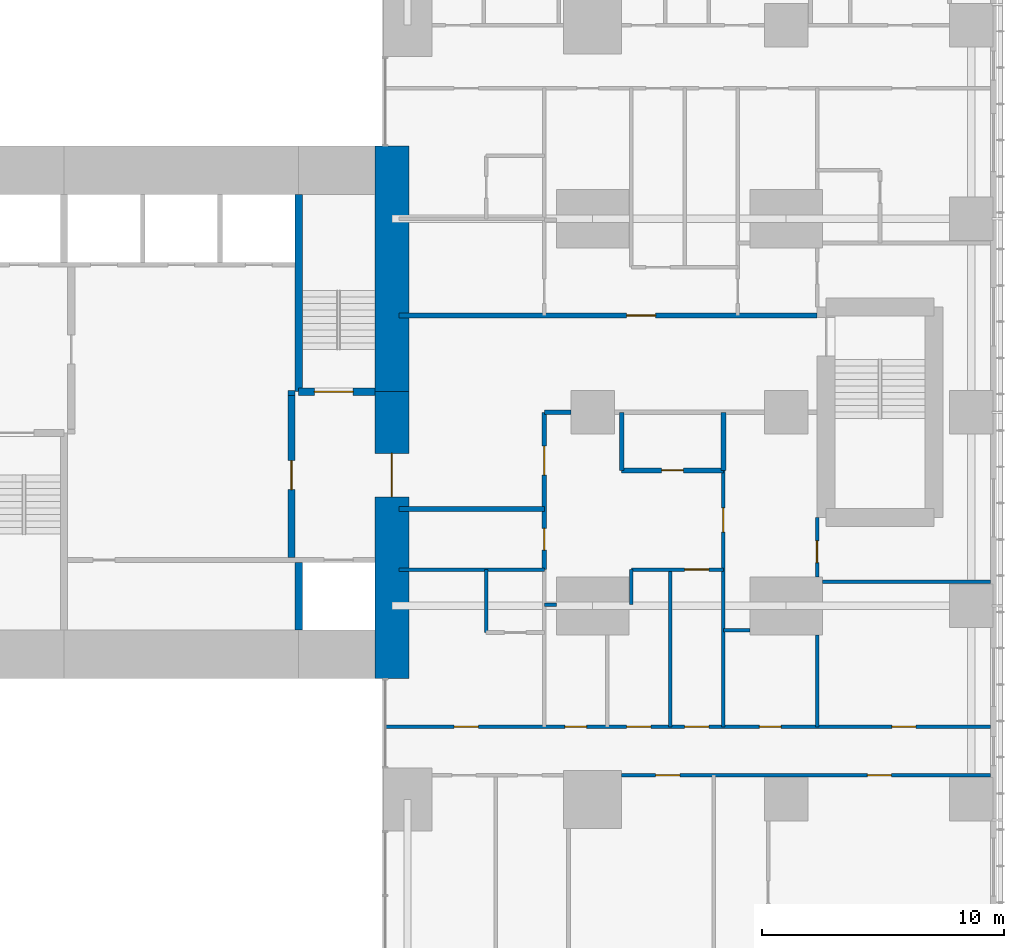
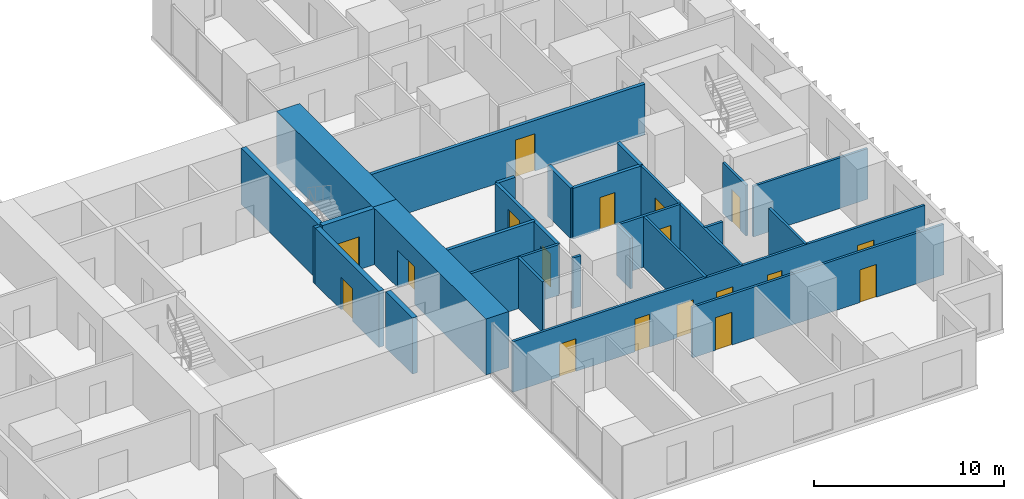
# One storey, part 11 of 15: 27 walls, 18 doors, 18 openings.
"""IFC4 building model written with IfcOpenShell, lengths in metres."""

import ifcopenshell
import ifcopenshell.guid

model = None  # the IFC model being written
_history = None  # IfcOwnerHistory: only IFC2X3 demands one
_inside = {}  # id of a spatial element -> (the spatial element, [elements in it])
_under = {}  # id of a project, library or spatial element -> (it, [spatial elements below it])
_declared = {}  # id of a project -> (the project, [libraries it declares])
_typed = {}  # id of a type object -> (the type object, [elements of that type])
_made_of = {}  # id of a material, layer set ... -> (it, [elements and type objects made of it])


def new_model(schema):
    """Start an empty IFC model of exactly this schema.

    Asked for "IFC4X3", IfcOpenShell would pick the latest addendum, in which some entities
    have other attributes; the version numbers below select the first issue.
    IFC2X3 requires an IfcOwnerHistory on every rooted entity: one is made here for all.
    """
    global model, _history
    if schema == "IFC4X3":
        model = ifcopenshell.file(schema_version=(4, 3, 0, 0))
    else:
        model = ifcopenshell.file(schema=schema)
    _inside.clear()
    _under.clear()
    _declared.clear()
    _typed.clear()
    _made_of.clear()
    _history = None
    if model.schema == "IFC2X3":
        org = make("IfcOrganization", Name="unknown")
        user = make(
            "IfcPersonAndOrganization",
            ThePerson=make("IfcPerson", FamilyName="unknown"),
            TheOrganization=org,
        )
        app = make(
            "IfcApplication",
            ApplicationDeveloper=org,
            Version="unknown",
            ApplicationFullName="unknown",
            ApplicationIdentifier="unknown",
        )
        _history = make(
            "IfcOwnerHistory",
            OwningUser=user,
            OwningApplication=app,
            ChangeAction="ADDED",
            CreationDate=0,
        )
    return model


def make(cls, **values):
    """One entity of the class cls with the attributes given. An attribute that is None is left unset."""
    return model.create_entity(
        cls, **{name: value for name, value in values.items() if value is not None}
    )


def rooted(cls, **values):
    """An entity with a GlobalId (a new one), such as an element, a storey or a relation."""
    return make(cls, GlobalId=ifcopenshell.guid.new(), OwnerHistory=_history, **values)


def si_unit(unit_type, name, prefix=None):
    """IfcSIUnit, for example si_unit("LENGTHUNIT", "METRE", prefix="MILLI")."""
    return make("IfcSIUnit", UnitType=unit_type, Prefix=prefix, Name=name)


def assignment(units):
    """IfcUnitAssignment: the units of a project."""
    return None if units is None else make("IfcUnitAssignment", Units=units)


def point(xyz):
    """IfcCartesianPoint."""
    return None if xyz is None else make("IfcCartesianPoint", Coordinates=xyz)


def direction(xyz):
    """IfcDirection."""
    return None if xyz is None else make("IfcDirection", DirectionRatios=xyz)


def frame(location, z_axis=None, x_axis=None):
    """IfcAxis2Placement3D, a coordinate frame: its origin and axes. An axis left out is left unset."""
    return make(
        "IfcAxis2Placement3D",
        Location=point(location),
        Axis=direction(z_axis),
        RefDirection=direction(x_axis),
    )


def frame_2d(location, x_axis=None):
    """IfcAxis2Placement2D, a coordinate frame in the plane: its origin and x axis."""
    return make(
        "IfcAxis2Placement2D", Location=point(location), RefDirection=direction(x_axis)
    )


def origin():
    """The frame at (0, 0, 0) with its axes left unset."""
    return frame((0.0, 0.0, 0.0))


def place(relative_to, where):
    """IfcLocalPlacement: puts the frame where relative to a parent placement (None: the world)."""
    return make(
        "IfcLocalPlacement", PlacementRelTo=relative_to, RelativePlacement=where
    )


def context(
    kind, dimensions, precision=None, world=None, true_north=None, identifier=None
):
    """IfcGeometricRepresentationContext, for example the 3D "Model" context."""
    return make(
        "IfcGeometricRepresentationContext",
        ContextIdentifier=identifier,
        ContextType=kind,
        CoordinateSpaceDimension=dimensions,
        Precision=precision,
        WorldCoordinateSystem=world,
        TrueNorth=true_north,
    )


def subcontext(parent, identifier, kind, view, scale=None):
    """IfcGeometricRepresentationSubContext, for example "Body" below "Model"."""
    return make(
        "IfcGeometricRepresentationSubContext",
        ContextIdentifier=identifier,
        ContextType=kind,
        ParentContext=parent,
        TargetScale=scale,
        TargetView=view,
    )


def project(units=None, contexts=None):
    """IfcProject with its units and contexts."""
    return rooted(
        "IfcProject",
        Name="project",
        RepresentationContexts=contexts,
        UnitsInContext=assignment(units),
    )


def spatial(cls, under=None, at=None, **own):
    """A site, building, storey or space (cls), placed at a placement, below another one or the project."""
    s = rooted(cls, ObjectPlacement=at, **own)
    if under is not None:
        _under.setdefault(under.id(), (under, []))[1].append(s)
    return s


def profile(cls, at=None, kind="AREA", **sizes):
    """A parametric profile (cls). Its sizes go by their IFC names, for example OverallWidth=200.0."""
    return make(cls, ProfileType=kind, Position=at, **sizes)


def rectangle(**sizes):
    """IfcRectangleProfileDef."""
    return profile("IfcRectangleProfileDef", **sizes)


def extrude(swept, where, along, depth):
    """IfcExtrudedAreaSolid: the profile swept, set in the frame where, extruded along a direction by depth."""
    return make(
        "IfcExtrudedAreaSolid",
        SweptArea=swept,
        Position=where,
        ExtrudedDirection=direction(along),
        Depth=depth,
    )


def shape(context_of_items, identifier, shape_type, items):
    """IfcShapeRepresentation: the items that make up one representation, for example the "Body"."""
    return make(
        "IfcShapeRepresentation",
        ContextOfItems=context_of_items,
        RepresentationIdentifier=identifier,
        RepresentationType=shape_type,
        Items=items,
    )


def material(Name=None, Category=None):
    """IfcMaterial."""
    return make("IfcMaterial", Name=Name, Category=Category)


def layer(
    of_material, thickness, ventilated=None, Name=None, Category=None, Priority=None
):
    """IfcMaterialLayer: one layer of a wall or slab, of a material (None: an air gap)."""
    return make(
        "IfcMaterialLayer",
        Material=of_material,
        LayerThickness=thickness,
        IsVentilated=ventilated,
        Name=Name,
        Category=Category,
        Priority=Priority,
    )


def layer_set(layers, Name=None):
    """IfcMaterialLayerSet."""
    return make("IfcMaterialLayerSet", MaterialLayers=layers, LayerSetName=Name)


def made_of(thing, what):
    """Note that an element or type object is made of a material, layer set ...; save() writes the relation."""
    if what is not None:
        _made_of.setdefault(what.id(), (what, []))[1].append(thing)
    return thing


def type_object(cls, material=None, **own):
    """A type object (cls), such as IfcWallType, which elements share."""
    return made_of(rooted(cls, **own), material)


def element(
    cls,
    number,
    at=None,
    inside=None,
    cuts=None,
    type_object=None,
    material=None,
    context=None,
    identifier="Body",
    shape_type=None,
    held_by="IfcProductDefinitionShape",
    body=None,
    shapes=None,
    **own,
):
    """One element of the class cls, such as IfcWall. Its Tag is "e" and its number.

    at: its placement. inside: the storey or other place that contains it. cuts: it is an
    opening in that element (IfcRelVoidsElement). A single representation is given by context,
    identifier, shape_type and body (its items); several are given by shapes. held_by: the class
    of the entity that holds the representations. save() writes the other relations.
    """
    e = rooted(cls, Tag="e%d" % number, ObjectPlacement=at, **own)
    if body is not None:
        shapes = [shape(context, identifier, shape_type, body)]
    if shapes is not None:
        e.Representation = make(held_by, Representations=shapes)
    if inside is not None:
        _inside.setdefault(inside.id(), (inside, []))[1].append(e)
    if cuts is not None:
        rooted(
            "IfcRelVoidsElement", RelatingBuildingElement=cuts, RelatedOpeningElement=e
        )
    if type_object is not None:
        _typed.setdefault(type_object.id(), (type_object, []))[1].append(e)
    return made_of(e, material)


def fill(opening, filler):
    """IfcRelFillsElement: the door or window that sits in an opening."""
    return rooted(
        "IfcRelFillsElement",
        RelatingOpeningElement=opening,
        RelatedBuildingElement=filler,
    )


def aggregate(whole, parts):
    """IfcRelAggregates: a whole, such as a stair, and the parts it consists of."""
    return rooted("IfcRelAggregates", RelatingObject=whole, RelatedObjects=parts)


def save(model, path):
    """Write the relations noted so far, then the file.

    IfcRelAggregates (storeys below a building ...), IfcRelContainedInSpatialStructure (elements
    in a storey), IfcRelDefinesByType, IfcRelAssociatesMaterial and IfcRelDeclares: one each for
    every whole, place, type object, material and project.
    """
    for whole, parts in _under.values():
        aggregate(whole, parts)
    for where, things in _inside.values():
        rooted(
            "IfcRelContainedInSpatialStructure",
            RelatedElements=things,
            RelatingStructure=where,
        )
    for kind, things in _typed.values():
        rooted("IfcRelDefinesByType", RelatedObjects=things, RelatingType=kind)
    for what, things in _made_of.values():
        rooted("IfcRelAssociatesMaterial", RelatedObjects=things, RelatingMaterial=what)
    for by, libraries in _declared.values():
        rooted("IfcRelDeclares", RelatingContext=by, RelatedDefinitions=libraries)
    model.write(path)


model = new_model("IFC4")

# Units and contexts
model_context = context("Model", 3, precision=1e-05, world=origin(), true_north=direction((0.0, 1.0)))
body_context = subcontext(model_context, "Body", "Model", "MODEL_VIEW")
ifc_project = project(units=[si_unit("LENGTHUNIT", "METRE"), si_unit("AREAUNIT", "SQUARE_METRE"), si_unit("VOLUMEUNIT", "CUBIC_METRE"), si_unit("PLANEANGLEUNIT", "RADIAN"), si_unit("MASSUNIT", "GRAM", prefix="KILO")], contexts=[model_context])

# Site, building, storey
site_placement = place(None, origin())
site = spatial("IfcSite", under=ifc_project, at=site_placement, CompositionType="ELEMENT")
building_placement = place(site_placement, origin())
building = spatial("IfcBuilding", under=site, at=building_placement, Name="Cleftline Residences", CompositionType="ELEMENT")
storey_placement = place(building_placement, frame((0.0, 0.0, 221.800048828125)))
storey = spatial("IfcBuildingStorey", under=building, at=storey_placement, Name="L58", CompositionType="ELEMENT", Elevation=221.800048828125)

# Wall, opening, door
ifc_material_1 = material(Name="Concrete B70", Category="concrete")
ifc_layer_1 = layer(ifc_material_1, 1.39990234375)
ifc_layer_set_1 = layer_set([ifc_layer_1], Name="CORE WALL 1400")
wall_type_1 = type_object("IfcWallType", Name="CORE WALL 1400", PredefinedType="SHEAR", material=ifc_layer_set_1)
wall_1_placement = place(storey_placement, frame((41.699951171875, 13.0, 0.0), z_axis=(0.0, 0.0, 1.0), x_axis=(0.0, 1.0, 0.0)))
wall_1 = element("IfcWall", 1, at=wall_1_placement, inside=storey, type_object=wall_type_1, Name="Core wall E", PredefinedType="SHEAR", context=body_context, shape_type="SweptSolid", body=[
    extrude(rectangle(XDim=11.85009765625, YDim=1.39990234375, at=frame_2d((5.925048828125, 0.0))), origin(), (0.0, 0.0, 1.0), 3.599853515625),
])
opening_1_placement = place(wall_1_placement, frame((7.5, 0.0, 0.0)))
opening_1 = element("IfcOpeningElement", 2, at=opening_1_placement, cuts=wall_1, Name="Opening D7", PredefinedType="OPENING", context=body_context, shape_type="SweptSolid", body=[
    extrude(rectangle(XDim=1.800048828125, YDim=2.39990234375, at=frame_2d((0.89990234375, 1.199951171875))), frame((0.0, 0.7099609375, 0.0), z_axis=(0.0, -1.0, 0.0), x_axis=(1.0, 0.0, 0.0)), (0.0, 0.0, 1.0), 1.419921875),
])
ifc_material_2 = material(Name="Steel", Category="steel")
door_type_1 = type_object("IfcDoorType", Name="WING DOOR 1800X2400", OperationType="DOUBLE_DOOR_DOUBLE_SWING", PredefinedType="DOOR", material=ifc_material_2)
door_1_placement = place(opening_1_placement, origin())
door_1 = element("IfcDoor", 3, at=door_1_placement, inside=storey, type_object=door_type_1, Name="East wing door", OperationType="DOUBLE_DOOR_DOUBLE_SWING", OverallHeight=2.39990234375, OverallWidth=1.800048828125, PredefinedType="DOOR", context=body_context, shape_type="SweptSolid", body=[
    extrude(rectangle(XDim=1.800048828125, YDim=2.39990234375, at=frame_2d((0.89990234375, 1.199951171875))), frame((0.0, 0.02490234375, 0.0), z_axis=(0.0, -1.0, 0.0), x_axis=(1.0, 0.0, 0.0)), (0.0, 0.0, 1.0), 0.050048828125),
])
fill(opening_1, door_1)

# Walls
wall_2_placement = place(storey_placement, frame((41.699951171875, 24.85009765625, 0.0), z_axis=(0.0, 0.0, 1.0), x_axis=(0.0, 1.0, 0.0)))
element("IfcWall", 4, at=wall_2_placement, inside=storey, type_object=wall_type_1, Name="Core wall E1", PredefinedType="SHEAR", context=body_context, shape_type="SweptSolid", body=[
    extrude(rectangle(XDim=10.14990234375, YDim=1.39990234375, at=frame_2d((5.074951171875, 0.0))), origin(), (0.0, 0.0, 1.0), 3.599853515625),
])
ifc_material_3 = material(Name="Concrete B70", Category="concrete")
ifc_layer_2 = layer(ifc_material_3, 0.300048828125)
ifc_layer_set_2 = layer_set([ifc_layer_2], Name="CORE WALL 300")
wall_type_2 = type_object("IfcWallType", Name="CORE WALL 300", PredefinedType="SHEAR", material=ifc_layer_set_2)
wall_3_placement = place(storey_placement, frame((37.85009765625, 24.85009765625, 0.0), z_axis=(0.0, 0.0, 1.0), x_axis=(0.0, 1.0, 0.0)))
element("IfcWall", 5, at=wall_3_placement, inside=storey, type_object=wall_type_2, Name="Core wall SB-W", PredefinedType="SHEAR", context=body_context, shape_type="SweptSolid", body=[
    extrude(rectangle(XDim=8.14990234375, YDim=0.300048828125, at=frame_2d((4.074951171875, 0.0))), origin(), (0.0, 0.0, 1.0), 3.599853515625),
])

# Wall, opening, door
wall_4_placement = place(storey_placement, frame((37.85009765625, 24.85009765625, 0.0), z_axis=(0.0, 0.0, 1.0), x_axis=(1.0, 0.0, 0.0)))
wall_4 = element("IfcWall", 6, at=wall_4_placement, inside=storey, type_object=wall_type_2, Name="Core wall SB-S", PredefinedType="SHEAR", context=body_context, shape_type="SweptSolid", body=[
    extrude(rectangle(XDim=3.14990234375, YDim=0.300048828125, at=frame_2d((1.574951171875, 0.0))), origin(), (0.0, 0.0, 1.0), 3.599853515625),
])
opening_2_placement = place(wall_4_placement, frame((0.64990234375, 0.0, 0.0)))
opening_2 = element("IfcOpeningElement", 7, at=opening_2_placement, cuts=wall_4, Name="Opening D9", PredefinedType="OPENING", context=body_context, shape_type="SweptSolid", body=[
    extrude(rectangle(XDim=1.60009765625, YDim=2.10009765625, at=frame_2d((0.800048828125, 1.050048828125))), frame((0.0, 0.159912109375, 0.0), z_axis=(0.0, -1.0, 0.0), x_axis=(1.0, 0.0, 0.0)), (0.0, 0.0, 1.0), 0.320068359375),
])
ifc_material_4 = material(Name="Steel", Category="steel")
door_type_2 = type_object("IfcDoorType", Name="STAIR DOOR 1600X2100", OperationType="DOUBLE_DOOR_SINGLE_SWING", PredefinedType="DOOR", material=ifc_material_4)
door_2_placement = place(opening_2_placement, origin())
door_2 = element("IfcDoor", 8, at=door_2_placement, inside=storey, type_object=door_type_2, Name="Stair B door", OperationType="DOUBLE_DOOR_SINGLE_SWING", OverallHeight=2.10009765625, OverallWidth=1.60009765625, PredefinedType="DOOR", context=body_context, shape_type="SweptSolid", body=[
    extrude(rectangle(XDim=1.60009765625, YDim=2.10009765625, at=frame_2d((0.800048828125, 1.050048828125))), frame((0.0, 0.02490234375, 0.0), z_axis=(0.0, -1.0, 0.0), x_axis=(1.0, 0.0, 0.0)), (0.0, 0.0, 1.0), 0.050048828125),
])
fill(opening_2, door_2)

# Walls
wall_5_placement = place(storey_placement, frame((37.85009765625, 15.0, 0.0), z_axis=(0.0, 0.0, 1.0), x_axis=(0.0, 1.0, 0.0)))
element("IfcWall", 9, at=wall_5_placement, inside=storey, type_object=wall_type_2, Name="Lift shaft wall", PredefinedType="SHEAR", context=body_context, shape_type="SweptSolid", body=[
    extrude(rectangle(XDim=2.800048828125, YDim=0.300048828125, at=frame_2d((1.39990234375, 0.0))), origin(), (0.0, 0.0, 1.0), 3.599853515625),
])
ifc_material_5 = material(Name="Concrete blockwork, fire rated", Category="masonry")
ifc_layer_3 = layer(ifc_material_5, 0.199951171875)
ifc_layer_set_3 = layer_set([ifc_layer_3], Name="FIRE WALL 200")
wall_type_3 = type_object("IfcWallType", Name="FIRE WALL 200", PredefinedType="PARTITIONING", material=ifc_layer_set_3)
wall_6_placement = place(storey_placement, frame((42.0, 20.0, 0.0), z_axis=(0.0, 0.0, 1.0), x_axis=(1.0, 0.0, 0.0)))
element("IfcWall", 10, at=wall_6_placement, inside=storey, type_object=wall_type_3, Name="Fire separating wall", PredefinedType="PARTITIONING", context=body_context, shape_type="SweptSolid", body=[
    extrude(rectangle(XDim=6.0, YDim=0.199951171875, at=frame_2d((3.0, 0.0))), origin(), (0.0, 0.0, 1.0), 3.25),
])

# Wall, opening, door
wall_7_placement = place(storey_placement, frame((51.199951171875, 21.60009765625, 0.0), z_axis=(0.0, 0.0, 1.0), x_axis=(1.0, 0.0, 0.0)))
wall_7 = element("IfcWall", 11, at=wall_7_placement, inside=storey, type_object=wall_type_3, Name="Fire separating wall", PredefinedType="PARTITIONING", context=body_context, shape_type="SweptSolid", body=[
    extrude(rectangle(XDim=4.199951171875, YDim=0.199951171875, at=frame_2d((2.10009765625, 0.0))), origin(), (0.0, 0.0, 1.0), 3.25),
])
opening_3_placement = place(wall_7_placement, frame((1.64990234375, 0.0, 0.0)))
opening_3 = element("IfcOpeningElement", 12, at=opening_3_placement, cuts=wall_7, Name="Opening D1F30", PredefinedType="OPENING", context=body_context, shape_type="SweptSolid", body=[
    extrude(rectangle(XDim=0.89990234375, YDim=2.10009765625, at=frame_2d((0.449951171875, 1.050048828125))), frame((0.0, 0.10986328125, 0.0), z_axis=(0.0, -1.0, 0.0), x_axis=(1.0, 0.0, 0.0)), (0.0, 0.0, 1.0), 0.219970703125),
])
ifc_material_6 = material(Name="Timber veneer on solid core", Category="wood")
door_type_3 = type_object("IfcDoorType", Name="DOOR 900X2100 EI 30", OperationType="SINGLE_SWING_LEFT", PredefinedType="DOOR", material=ifc_material_6)
door_3_placement = place(opening_3_placement, origin())
door_3 = element("IfcDoor", 13, at=door_3_placement, inside=storey, type_object=door_type_3, Name="Door to cloakroom wc", OperationType="SINGLE_SWING_LEFT", OverallHeight=2.10009765625, OverallWidth=0.89990234375, PredefinedType="DOOR", context=body_context, shape_type="SweptSolid", body=[
    extrude(rectangle(XDim=0.89990234375, YDim=2.10009765625, at=frame_2d((0.449951171875, 1.050048828125))), frame((0.0, 0.02490234375, 0.0), z_axis=(0.0, -1.0, 0.0), x_axis=(1.0, 0.0, 0.0)), (0.0, 0.0, 1.0), 0.050048828125),
])
fill(opening_3, door_3)

# Wall
wall_8_placement = place(storey_placement, frame((48.0, 24.0, 0.0), z_axis=(0.0, 0.0, 1.0), x_axis=(1.0, 0.0, 0.0)))
element("IfcWall", 14, at=wall_8_placement, inside=storey, type_object=wall_type_3, Name="Fire separating wall", PredefinedType="PARTITIONING", context=body_context, shape_type="SweptSolid", body=[
    extrude(rectangle(XDim=1.10009765625, YDim=0.199951171875, at=frame_2d((0.550048828125, 0.0))), origin(), (0.0, 0.0, 1.0), 3.25),
])

# Wall, opening, door
wall_9_placement = place(storey_placement, frame((42.0, 28.0, 0.0), z_axis=(0.0, 0.0, 1.0), x_axis=(1.0, 0.0, 0.0)))
wall_9 = element("IfcWall", 15, at=wall_9_placement, inside=storey, type_object=wall_type_3, Name="Fire separating wall", PredefinedType="PARTITIONING", context=body_context, shape_type="SweptSolid", body=[
    extrude(rectangle(XDim=17.27490234375, YDim=0.199951171875, at=frame_2d((8.637451171875, 0.0))), origin(), (0.0, 0.0, 1.0), 3.25),
])
opening_4_placement = place(wall_9_placement, frame((9.39990234375, 0.0, 0.0)))
opening_4 = element("IfcOpeningElement", 16, at=opening_4_placement, cuts=wall_9, Name="Opening D4", PredefinedType="OPENING", context=body_context, shape_type="SweptSolid", body=[
    extrude(rectangle(XDim=1.199951171875, YDim=2.39990234375, at=frame_2d((0.60009765625, 1.199951171875))), frame((0.0, 0.10986328125, 0.0), z_axis=(0.0, -1.0, 0.0), x_axis=(1.0, 0.0, 0.0)), (0.0, 0.0, 1.0), 0.219970703125),
])
ifc_material_7 = material(Name="Timber veneer on solid core", Category="wood")
door_type_4 = type_object("IfcDoorType", Name="APARTMENT ENTRANCE DOOR 1200X2400", OperationType="SINGLE_SWING_RIGHT", PredefinedType="DOOR", material=ifc_material_7)
door_4_placement = place(opening_4_placement, origin())
door_4 = element("IfcDoor", 17, at=door_4_placement, inside=storey, type_object=door_type_4, Name="Door to residence entrance (gallery)", OperationType="SINGLE_SWING_LEFT", OverallHeight=2.39990234375, OverallWidth=1.199951171875, PredefinedType="DOOR", context=body_context, shape_type="SweptSolid", body=[
    extrude(rectangle(XDim=1.199951171875, YDim=2.39990234375, at=frame_2d((0.60009765625, 1.199951171875))), frame((0.0, 0.02490234375, 0.0), z_axis=(0.0, -1.0, 0.0), x_axis=(1.0, 0.0, 0.0)), (0.0, 0.0, 1.0), 0.050048828125),
])
fill(opening_4, door_4)

# Wall, openings, doors
wall_10_placement = place(storey_placement, frame((48.0, 17.5, 0.0), z_axis=(0.0, 0.0, 1.0), x_axis=(0.0, 1.0, 0.0)))
wall_10 = element("IfcWall", 18, at=wall_10_placement, inside=storey, type_object=wall_type_3, Name="Fire separating wall", PredefinedType="PARTITIONING", context=body_context, shape_type="SweptSolid", body=[
    extrude(rectangle(XDim=6.5, YDim=0.199951171875, at=frame_2d((3.25, 0.0))), origin(), (0.0, 0.0, 1.0), 3.25),
])
opening_5_placement = place(wall_10_placement, frame((3.89990234375, 0.0, 0.0)))
opening_5 = element("IfcOpeningElement", 19, at=opening_5_placement, cuts=wall_10, Name="Opening D4", PredefinedType="OPENING", context=body_context, shape_type="SweptSolid", body=[
    extrude(rectangle(XDim=1.199951171875, YDim=2.39990234375, at=frame_2d((0.60009765625, 1.199951171875))), frame((0.0, 0.10986328125, 0.0), z_axis=(0.0, -1.0, 0.0), x_axis=(1.0, 0.0, 0.0)), (0.0, 0.0, 1.0), 0.219970703125),
])
opening_6_placement = place(wall_10_placement, frame((0.800048828125, 0.0, 0.0)))
opening_6 = element("IfcOpeningElement", 20, at=opening_6_placement, cuts=wall_10, Name="Opening D1F30", PredefinedType="OPENING", context=body_context, shape_type="SweptSolid", body=[
    extrude(rectangle(XDim=0.89990234375, YDim=2.10009765625, at=frame_2d((0.449951171875, 1.050048828125))), frame((0.0, 0.10986328125, 0.0), z_axis=(0.0, -1.0, 0.0), x_axis=(1.0, 0.0, 0.0)), (0.0, 0.0, 1.0), 0.219970703125),
])
door_5_placement = place(opening_5_placement, origin())
door_5 = element("IfcDoor", 21, at=door_5_placement, inside=storey, type_object=door_type_4, Name="Door to residence entrance foyer", OperationType="SINGLE_SWING_LEFT", OverallHeight=2.39990234375, OverallWidth=1.199951171875, PredefinedType="DOOR", context=body_context, shape_type="SweptSolid", body=[
    extrude(rectangle(XDim=1.199951171875, YDim=2.39990234375, at=frame_2d((0.60009765625, 1.199951171875))), frame((0.0, 0.02490234375, 0.0), z_axis=(0.0, -1.0, 0.0), x_axis=(1.0, 0.0, 0.0)), (0.0, 0.0, 1.0), 0.050048828125),
])
fill(opening_5, door_5)
door_6_placement = place(opening_6_placement, origin())
door_6 = element("IfcDoor", 22, at=door_6_placement, inside=storey, type_object=door_type_3, Name="Door to utility room", OperationType="SINGLE_SWING_RIGHT", OverallHeight=2.10009765625, OverallWidth=0.89990234375, PredefinedType="DOOR", context=body_context, shape_type="SweptSolid", body=[
    extrude(rectangle(XDim=0.89990234375, YDim=2.10009765625, at=frame_2d((0.449951171875, 1.050048828125))), frame((0.0, 0.02490234375, 0.0), z_axis=(0.0, -1.0, 0.0), x_axis=(1.0, 0.0, 0.0)), (0.0, 0.0, 1.0), 0.050048828125),
])
fill(opening_6, door_6)

# Walls
for number, where, z_axis, x_axis, name in (
    (23, (51.199951171875, 21.60009765625, 0.0), (0.0, 0.0, 1.0), (0.0, 1.0, 0.0), "Fire separating wall"),
    (24, (55.39990234375, 21.60009765625, 0.0), (0.0, 0.0, 1.0), (0.0, 1.0, 0.0), "Fire separating wall"),
):
    element("IfcWall", number, at=place(storey_placement, frame(where, z_axis=z_axis, x_axis=x_axis)), inside=storey, type_object=wall_type_3, Name=name, PredefinedType="PARTITIONING", context=body_context, shape_type="SweptSolid", body=[
        extrude(rectangle(XDim=2.39990234375, YDim=0.199951171875, at=frame_2d((1.199951171875, 0.0))), origin(), (0.0, 0.0, 1.0), 3.25),
    ])
wall_11_placement = place(storey_placement, frame((37.39990234375, 24.800048828125, 0.0), z_axis=(0.0, 0.0, 1.0), x_axis=(1.0, 0.0, 0.0)))
element("IfcWall", 25, at=wall_11_placement, inside=storey, type_object=wall_type_3, Name="Fire separating wall", PredefinedType="PARTITIONING", context=body_context, shape_type="SweptSolid", body=[
    extrude(rectangle(XDim=0.300048828125, YDim=0.199951171875, at=frame_2d((0.14990234375, 0.0))), origin(), (0.0, 0.0, 1.0), 3.599853515625),
])

# Wall, openings, doors
ifc_material_8 = material(Name="Gypsum board on steel studs", Category="steel")
ifc_layer_4 = layer(ifc_material_8, 0.14990234375)
ifc_layer_set_4 = layer_set([ifc_layer_4], Name="PARTITION 150")
wall_type_4 = type_object("IfcWallType", Name="PARTITION 150", PredefinedType="PARTITIONING", material=ifc_layer_set_4)
wall_12_placement = place(storey_placement, frame((51.199951171875, 9.0, 0.0), z_axis=(0.0, 0.0, 1.0), x_axis=(1.0, 0.0, 0.0)))
wall_12 = element("IfcWall", 26, at=wall_12_placement, inside=storey, type_object=wall_type_4, Name="Partition", PredefinedType="PARTITIONING", context=body_context, shape_type="SweptSolid", body=[
    extrude(rectangle(XDim=15.25, YDim=0.14990234375, at=frame_2d((7.625, 0.0))), origin(), (0.0, 0.0, 1.0), 3.25),
])
opening_7_placement = place(wall_12_placement, frame((10.14990234375, 0.0, 0.0)))
opening_7 = element("IfcOpeningElement", 27, at=opening_7_placement, cuts=wall_12, Name="Opening D2", PredefinedType="OPENING", context=body_context, shape_type="SweptSolid", body=[
    extrude(rectangle(XDim=1.0, YDim=2.10009765625, at=frame_2d((0.5, 1.050048828125))), frame((0.0, 0.0849609375, 0.0), z_axis=(0.0, -1.0, 0.0), x_axis=(1.0, 0.0, 0.0)), (0.0, 0.0, 1.0), 0.169921875),
])
opening_8_placement = place(wall_12_placement, frame((1.39990234375, 0.0, 0.0)))
opening_8 = element("IfcOpeningElement", 28, at=opening_8_placement, cuts=wall_12, Name="Opening D2", PredefinedType="OPENING", context=body_context, shape_type="SweptSolid", body=[
    extrude(rectangle(XDim=1.0, YDim=2.10009765625, at=frame_2d((0.5, 1.050048828125))), frame((0.0, 0.0849609375, 0.0), z_axis=(0.0, -1.0, 0.0), x_axis=(1.0, 0.0, 0.0)), (0.0, 0.0, 1.0), 0.169921875),
])
ifc_material_9 = material(Name="Timber veneer on solid core", Category="wood")
door_type_5 = type_object("IfcDoorType", Name="DOOR 1000X2100", OperationType="SINGLE_SWING_LEFT", PredefinedType="DOOR", material=ifc_material_9)
door_7_placement = place(opening_7_placement, origin())
door_7 = element("IfcDoor", 29, at=door_7_placement, inside=storey, type_object=door_type_5, Name="Door to sea-view living room", OperationType="SINGLE_SWING_LEFT", OverallHeight=2.10009765625, OverallWidth=1.0, PredefinedType="DOOR", context=body_context, shape_type="SweptSolid", body=[
    extrude(rectangle(XDim=1.0, YDim=2.10009765625, at=frame_2d((0.5, 1.050048828125))), frame((0.0, 0.02490234375, 0.0), z_axis=(0.0, -1.0, 0.0), x_axis=(1.0, 0.0, 0.0)), (0.0, 0.0, 1.0), 0.050048828125),
])
fill(opening_7, door_7)
door_8_placement = place(opening_8_placement, origin())
door_8 = element("IfcDoor", 30, at=door_8_placement, inside=storey, type_object=door_type_5, Name="Door to dining room", OperationType="SINGLE_SWING_RIGHT", OverallHeight=2.10009765625, OverallWidth=1.0, PredefinedType="DOOR", context=body_context, shape_type="SweptSolid", body=[
    extrude(rectangle(XDim=1.0, YDim=2.10009765625, at=frame_2d((0.5, 1.050048828125))), frame((0.0, 0.02490234375, 0.0), z_axis=(0.0, -1.0, 0.0), x_axis=(1.0, 0.0, 0.0)), (0.0, 0.0, 1.0), 0.050048828125),
])
fill(opening_8, door_8)

wall_13_placement = place(storey_placement, frame((41.43896484375, 11.0, 0.0), z_axis=(0.0, 0.0, 1.0), x_axis=(1.0, 0.0, 0.0)))
wall_13 = element("IfcWall", 31, at=wall_13_placement, inside=storey, type_object=wall_type_4, Name="Partition", PredefinedType="PARTITIONING", context=body_context, shape_type="SweptSolid", body=[
    extrude(rectangle(XDim=25.010986328125, YDim=0.14990234375, at=frame_2d((12.50537109375, 0.0))), origin(), (0.0, 0.0, 1.0), 3.25),
])
opening_9_placement = place(wall_13_placement, frame((12.361083984375, 0.0, 0.0)))
opening_9 = element("IfcOpeningElement", 32, at=opening_9_placement, cuts=wall_13, Name="Opening D2F30", PredefinedType="OPENING", context=body_context, shape_type="SweptSolid", body=[
    extrude(rectangle(XDim=1.0, YDim=2.10009765625, at=frame_2d((0.5, 1.050048828125))), frame((0.0, 0.0849609375, 0.0), z_axis=(0.0, -1.0, 0.0), x_axis=(1.0, 0.0, 0.0)), (0.0, 0.0, 1.0), 0.169921875),
])
opening_10_placement = place(wall_13_placement, frame((20.923583984375, 0.0, 0.0)))
opening_10 = element("IfcOpeningElement", 33, at=opening_10_placement, cuts=wall_13, Name="Opening D2F30", PredefinedType="OPENING", context=body_context, shape_type="SweptSolid", body=[
    extrude(rectangle(XDim=1.0, YDim=2.10009765625, at=frame_2d((0.5, 1.050048828125))), frame((0.0, 0.0849609375, 0.0), z_axis=(0.0, -1.0, 0.0), x_axis=(1.0, 0.0, 0.0)), (0.0, 0.0, 1.0), 0.169921875),
])
opening_11_placement = place(wall_13_placement, frame((15.448486328125, 0.0, 0.0)))
opening_11 = element("IfcOpeningElement", 34, at=opening_11_placement, cuts=wall_13, Name="Opening D1F30", PredefinedType="OPENING", context=body_context, shape_type="SweptSolid", body=[
    extrude(rectangle(XDim=0.89990234375, YDim=2.10009765625, at=frame_2d((0.449951171875, 1.050048828125))), frame((0.0, 0.0849609375, 0.0), z_axis=(0.0, -1.0, 0.0), x_axis=(1.0, 0.0, 0.0)), (0.0, 0.0, 1.0), 0.169921875),
])
opening_12_placement = place(wall_13_placement, frame((9.9609375, 0.0, 0.0)))
opening_12 = element("IfcOpeningElement", 35, at=opening_12_placement, cuts=wall_13, Name="Opening D2F30", PredefinedType="OPENING", context=body_context, shape_type="SweptSolid", body=[
    extrude(rectangle(XDim=1.0, YDim=2.10009765625, at=frame_2d((0.5, 1.050048828125))), frame((0.0, 0.0849609375, 0.0), z_axis=(0.0, -1.0, 0.0), x_axis=(1.0, 0.0, 0.0)), (0.0, 0.0, 1.0), 0.169921875),
])
opening_13_placement = place(wall_13_placement, frame((7.410888671875, 0.0, 0.0)))
opening_13 = element("IfcOpeningElement", 36, at=opening_13_placement, cuts=wall_13, Name="Opening D1F30", PredefinedType="OPENING", context=body_context, shape_type="SweptSolid", body=[
    extrude(rectangle(XDim=0.89990234375, YDim=2.10009765625, at=frame_2d((0.449951171875, 1.050048828125))), frame((0.0, 0.0849609375, 0.0), z_axis=(0.0, -1.0, 0.0), x_axis=(1.0, 0.0, 0.0)), (0.0, 0.0, 1.0), 0.169921875),
])
opening_14_placement = place(wall_13_placement, frame((2.8359375, 0.0, 0.0)))
opening_14 = element("IfcOpeningElement", 37, at=opening_14_placement, cuts=wall_13, Name="Opening D2F30", PredefinedType="OPENING", context=body_context, shape_type="SweptSolid", body=[
    extrude(rectangle(XDim=1.0, YDim=2.10009765625, at=frame_2d((0.5, 1.050048828125))), frame((0.0, 0.0849609375, 0.0), z_axis=(0.0, -1.0, 0.0), x_axis=(1.0, 0.0, 0.0)), (0.0, 0.0, 1.0), 0.169921875),
])
ifc_material_10 = material(Name="Timber veneer on solid core", Category="wood")
door_type_6 = type_object("IfcDoorType", Name="DOOR 1000X2100 EI 30", OperationType="SINGLE_SWING_LEFT", PredefinedType="DOOR", material=ifc_material_10)
door_9_placement = place(opening_9_placement, origin())
door_9 = element("IfcDoor", 38, at=door_9_placement, inside=storey, type_object=door_type_6, Name="Door to residence hall (gallery)", OperationType="SINGLE_SWING_LEFT", OverallHeight=2.10009765625, OverallWidth=1.0, PredefinedType="DOOR", context=body_context, shape_type="SweptSolid", body=[
    extrude(rectangle(XDim=1.0, YDim=2.10009765625, at=frame_2d((0.5, 1.050048828125))), frame((0.0, 0.02490234375, 0.0), z_axis=(0.0, -1.0, 0.0), x_axis=(1.0, 0.0, 0.0)), (0.0, 0.0, 1.0), 0.050048828125),
])
fill(opening_9, door_9)
door_10_placement = place(opening_10_placement, origin())
door_10 = element("IfcDoor", 39, at=door_10_placement, inside=storey, type_object=door_type_6, Name="Door to altar room", OperationType="SINGLE_SWING_LEFT", OverallHeight=2.10009765625, OverallWidth=1.0, PredefinedType="DOOR", context=body_context, shape_type="SweptSolid", body=[
    extrude(rectangle(XDim=1.0, YDim=2.10009765625, at=frame_2d((0.5, 1.050048828125))), frame((0.0, 0.02490234375, 0.0), z_axis=(0.0, -1.0, 0.0), x_axis=(1.0, 0.0, 0.0)), (0.0, 0.0, 1.0), 0.050048828125),
])
fill(opening_10, door_10)
door_11_placement = place(opening_12_placement, origin())
door_11 = element("IfcDoor", 40, at=door_11_placement, inside=storey, type_object=door_type_6, Name="Door to wet kitchen", OperationType="SINGLE_SWING_RIGHT", OverallHeight=2.10009765625, OverallWidth=1.0, PredefinedType="DOOR", context=body_context, shape_type="SweptSolid", body=[
    extrude(rectangle(XDim=1.0, YDim=2.10009765625, at=frame_2d((0.5, 1.050048828125))), frame((0.0, 0.02490234375, 0.0), z_axis=(0.0, -1.0, 0.0), x_axis=(1.0, 0.0, 0.0)), (0.0, 0.0, 1.0), 0.050048828125),
])
fill(opening_12, door_11)
door_12_placement = place(opening_14_placement, origin())
door_12 = element("IfcDoor", 41, at=door_12_placement, inside=storey, type_object=door_type_6, Name="Door to staff bedroom", OperationType="SINGLE_SWING_RIGHT", OverallHeight=2.10009765625, OverallWidth=1.0, PredefinedType="DOOR", context=body_context, shape_type="SweptSolid", body=[
    extrude(rectangle(XDim=1.0, YDim=2.10009765625, at=frame_2d((0.5, 1.050048828125))), frame((0.0, 0.02490234375, 0.0), z_axis=(0.0, -1.0, 0.0), x_axis=(1.0, 0.0, 0.0)), (0.0, 0.0, 1.0), 0.050048828125),
])
fill(opening_14, door_12)
door_13_placement = place(opening_11_placement, origin())
door_13 = element("IfcDoor", 42, at=door_13_placement, inside=storey, type_object=door_type_3, Name="Door to store room", OperationType="SINGLE_SWING_LEFT", OverallHeight=2.10009765625, OverallWidth=0.89990234375, PredefinedType="DOOR", context=body_context, shape_type="SweptSolid", body=[
    extrude(rectangle(XDim=0.89990234375, YDim=2.10009765625, at=frame_2d((0.449951171875, 1.050048828125))), frame((0.0, 0.02490234375, 0.0), z_axis=(0.0, -1.0, 0.0), x_axis=(1.0, 0.0, 0.0)), (0.0, 0.0, 1.0), 0.050048828125),
])
fill(opening_11, door_13)
door_14_placement = place(opening_13_placement, origin())
door_14 = element("IfcDoor", 43, at=door_14_placement, inside=storey, type_object=door_type_3, Name="Door to pantry", OperationType="SINGLE_SWING_RIGHT", OverallHeight=2.10009765625, OverallWidth=0.89990234375, PredefinedType="DOOR", context=body_context, shape_type="SweptSolid", body=[
    extrude(rectangle(XDim=0.89990234375, YDim=2.10009765625, at=frame_2d((0.449951171875, 1.050048828125))), frame((0.0, 0.02490234375, 0.0), z_axis=(0.0, -1.0, 0.0), x_axis=(1.0, 0.0, 0.0)), (0.0, 0.0, 1.0), 0.050048828125),
])
fill(opening_13, door_14)

# Walls
wall_14_placement = place(storey_placement, frame((55.39990234375, 15.0, 0.0), z_axis=(0.0, 0.0, 1.0), x_axis=(1.0, 0.0, 0.0)))
element("IfcWall", 44, at=wall_14_placement, inside=storey, type_object=wall_type_4, Name="Partition", PredefinedType="PARTITIONING", context=body_context, shape_type="SweptSolid", body=[
    extrude(rectangle(XDim=1.10009765625, YDim=0.14990234375, at=frame_2d((0.550048828125, 0.0))), origin(), (0.0, 0.0, 1.0), 3.25),
])
wall_15_placement = place(storey_placement, frame((48.0, 16.050048828125, 0.0), z_axis=(0.0, 0.0, 1.0), x_axis=(1.0, 0.0, 0.0)))
element("IfcWall", 45, at=wall_15_placement, inside=storey, type_object=wall_type_4, Name="Partition", PredefinedType="PARTITIONING", context=body_context, shape_type="SweptSolid", body=[
    extrude(rectangle(XDim=0.5, YDim=0.14990234375, at=frame_2d((0.25, 0.0))), origin(), (0.0, 0.0, 1.0), 3.25),
])
wall_16_placement = place(storey_placement, frame((59.5, 17.0, 0.0), z_axis=(0.0, 0.0, 1.0), x_axis=(1.0, 0.0, 0.0)))
element("IfcWall", 46, at=wall_16_placement, inside=storey, type_object=wall_type_4, Name="Partition", PredefinedType="PARTITIONING", context=body_context, shape_type="SweptSolid", body=[
    extrude(rectangle(XDim=6.949951171875, YDim=0.14990234375, at=frame_2d((3.47509765625, 0.0))), origin(), (0.0, 0.0, 1.0), 3.25),
])
wall_17_placement = place(storey_placement, frame((42.0, 17.5, 0.0), z_axis=(0.0, 0.0, 1.0), x_axis=(1.0, 0.0, 0.0)))
element("IfcWall", 47, at=wall_17_placement, inside=storey, type_object=wall_type_4, Name="Partition", PredefinedType="PARTITIONING", context=body_context, shape_type="SweptSolid", body=[
    extrude(rectangle(XDim=6.0, YDim=0.14990234375, at=frame_2d((3.0, 0.0))), origin(), (0.0, 0.0, 1.0), 3.25),
])

# Wall, opening, door
wall_18_placement = place(storey_placement, frame((51.60009765625, 17.5, 0.0), z_axis=(0.0, 0.0, 1.0), x_axis=(1.0, 0.0, 0.0)))
wall_18 = element("IfcWall", 48, at=wall_18_placement, inside=storey, type_object=wall_type_4, Name="Partition", PredefinedType="PARTITIONING", context=body_context, shape_type="SweptSolid", body=[
    extrude(rectangle(XDim=3.7998046875, YDim=0.14990234375, at=frame_2d((1.89990234375, 0.0))), origin(), (0.0, 0.0, 1.0), 3.25),
])
opening_15_placement = place(wall_18_placement, frame((2.199951171875, 0.0, 0.0)))
opening_15 = element("IfcOpeningElement", 49, at=opening_15_placement, cuts=wall_18, Name="Opening D2", PredefinedType="OPENING", context=body_context, shape_type="SweptSolid", body=[
    extrude(rectangle(XDim=1.0, YDim=2.10009765625, at=frame_2d((0.5, 1.050048828125))), frame((0.0, 0.0849609375, 0.0), z_axis=(0.0, -1.0, 0.0), x_axis=(1.0, 0.0, 0.0)), (0.0, 0.0, 1.0), 0.169921875),
])
door_15_placement = place(opening_15_placement, origin())
door_15 = element("IfcDoor", 50, at=door_15_placement, inside=storey, type_object=door_type_5, Name="Door to residence passage", OperationType="SINGLE_SWING_LEFT", OverallHeight=2.10009765625, OverallWidth=1.0, PredefinedType="DOOR", context=body_context, shape_type="SweptSolid", body=[
    extrude(rectangle(XDim=1.0, YDim=2.10009765625, at=frame_2d((0.5, 1.050048828125))), frame((0.0, 0.02490234375, 0.0), z_axis=(0.0, -1.0, 0.0), x_axis=(1.0, 0.0, 0.0)), (0.0, 0.0, 1.0), 0.050048828125),
])
fill(opening_15, door_15)

# Walls
wall_19_placement = place(storey_placement, frame((45.60009765625, 14.89990234375, 0.0), z_axis=(0.0, 0.0, 1.0), x_axis=(0.0, 1.0, 0.0)))
element("IfcWall", 51, at=wall_19_placement, inside=storey, type_object=wall_type_4, Name="Partition", PredefinedType="PARTITIONING", context=body_context, shape_type="SweptSolid", body=[
    extrude(rectangle(XDim=2.60009765625, YDim=0.14990234375, at=frame_2d((1.300048828125, 0.0))), origin(), (0.0, 0.0, 1.0), 3.25),
])
wall_20_placement = place(storey_placement, frame((51.60009765625, 16.050048828125, 0.0), z_axis=(0.0, 0.0, 1.0), x_axis=(0.0, 1.0, 0.0)))
element("IfcWall", 52, at=wall_20_placement, inside=storey, type_object=wall_type_4, Name="Partition", PredefinedType="PARTITIONING", context=body_context, shape_type="SweptSolid", body=[
    extrude(rectangle(XDim=1.449951171875, YDim=0.14990234375, at=frame_2d((0.72509765625, 0.0))), origin(), (0.0, 0.0, 1.0), 3.25),
])
wall_21_placement = place(storey_placement, frame((53.199951171875, 11.0, 0.0), z_axis=(0.0, 0.0, 1.0), x_axis=(0.0, 1.0, 0.0)))
element("IfcWall", 53, at=wall_21_placement, inside=storey, type_object=wall_type_4, Name="Partition", PredefinedType="PARTITIONING", context=body_context, shape_type="SweptSolid", body=[
    extrude(rectangle(XDim=6.5, YDim=0.14990234375, at=frame_2d((3.25, 0.0))), origin(), (0.0, 0.0, 1.0), 3.25),
])

# Wall, opening, door
wall_22_placement = place(storey_placement, frame((55.39990234375, 11.0, 0.0), z_axis=(0.0, 0.0, 1.0), x_axis=(0.0, 1.0, 0.0)))
wall_22 = element("IfcWall", 54, at=wall_22_placement, inside=storey, type_object=wall_type_4, Name="Partition", PredefinedType="PARTITIONING", context=body_context, shape_type="SweptSolid", body=[
    extrude(rectangle(XDim=10.60009765625, YDim=0.14990234375, at=frame_2d((5.300048828125, 0.0))), origin(), (0.0, 0.0, 1.0), 3.25),
])
opening_16_placement = place(wall_22_placement, frame((8.050048828125, 0.0, 0.0)))
opening_16 = element("IfcOpeningElement", 55, at=opening_16_placement, cuts=wall_22, Name="Opening D2F30", PredefinedType="OPENING", context=body_context, shape_type="SweptSolid", body=[
    extrude(rectangle(XDim=1.0, YDim=2.10009765625, at=frame_2d((0.5, 1.050048828125))), frame((0.0, 0.0849609375, 0.0), z_axis=(0.0, -1.0, 0.0), x_axis=(1.0, 0.0, 0.0)), (0.0, 0.0, 1.0), 0.169921875),
])
door_16_placement = place(opening_16_placement, origin())
door_16 = element("IfcDoor", 56, at=door_16_placement, inside=storey, type_object=door_type_6, Name="Door to residence lobby", OperationType="SINGLE_SWING_LEFT", OverallHeight=2.10009765625, OverallWidth=1.0, PredefinedType="DOOR", context=body_context, shape_type="SweptSolid", body=[
    extrude(rectangle(XDim=1.0, YDim=2.10009765625, at=frame_2d((0.5, 1.050048828125))), frame((0.0, 0.02490234375, 0.0), z_axis=(0.0, -1.0, 0.0), x_axis=(1.0, 0.0, 0.0)), (0.0, 0.0, 1.0), 0.050048828125),
])
fill(opening_16, door_16)

# Wall
wall_23_placement = place(storey_placement, frame((59.27490234375, 11.0, 0.0), z_axis=(0.0, 0.0, 1.0), x_axis=(0.0, 1.0, 0.0)))
element("IfcWall", 57, at=wall_23_placement, inside=storey, type_object=wall_type_4, Name="Partition", PredefinedType="PARTITIONING", context=body_context, shape_type="SweptSolid", body=[
    extrude(rectangle(XDim=3.800048828125, YDim=0.14990234375, at=frame_2d((1.89990234375, 0.0))), origin(), (0.0, 0.0, 1.0), 3.25),
])

# Wall, opening, door
wall_24_placement = place(storey_placement, frame((59.27490234375, 17.199951171875, 0.0), z_axis=(0.0, 0.0, 1.0), x_axis=(0.0, 1.0, 0.0)))
wall_24 = element("IfcWall", 58, at=wall_24_placement, inside=storey, type_object=wall_type_4, Name="Partition", PredefinedType="PARTITIONING", context=body_context, shape_type="SweptSolid", body=[
    extrude(rectangle(XDim=2.449951171875, YDim=0.14990234375, at=frame_2d((1.22509765625, 0.0))), origin(), (0.0, 0.0, 1.0), 3.25),
])
opening_17_placement = place(wall_24_placement, frame((0.58740234375, 0.0, 0.0)))
opening_17 = element("IfcOpeningElement", 59, at=opening_17_placement, cuts=wall_24, Name="Opening D1", PredefinedType="OPENING", context=body_context, shape_type="SweptSolid", body=[
    extrude(rectangle(XDim=0.89990234375, YDim=2.10009765625, at=frame_2d((0.449951171875, 1.050048828125))), frame((0.0, 0.0849609375, 0.0), z_axis=(0.0, -1.0, 0.0), x_axis=(1.0, 0.0, 0.0)), (0.0, 0.0, 1.0), 0.169921875),
])
ifc_material_11 = material(Name="Timber veneer on solid core", Category="wood")
door_type_7 = type_object("IfcDoorType", Name="DOOR 900X2100", OperationType="SINGLE_SWING_LEFT", PredefinedType="DOOR", material=ifc_material_11)
door_17_placement = place(opening_17_placement, origin())
door_17 = element("IfcDoor", 60, at=door_17_placement, inside=storey, type_object=door_type_7, Name="Door to drying loggia", OperationType="SINGLE_SWING_RIGHT", OverallHeight=2.10009765625, OverallWidth=0.89990234375, PredefinedType="DOOR", context=body_context, shape_type="SweptSolid", body=[
    extrude(rectangle(XDim=0.89990234375, YDim=2.10009765625, at=frame_2d((0.449951171875, 1.050048828125))), frame((0.0, 0.02490234375, 0.0), z_axis=(0.0, -1.0, 0.0), x_axis=(1.0, 0.0, 0.0)), (0.0, 0.0, 1.0), 0.050048828125),
])
fill(opening_17, door_17)

ifc_material_12 = material(Name="Concrete blockwork, fire rated", Category="masonry")
ifc_layer_5 = layer(ifc_material_12, 0.300048828125)
ifc_layer_set_5 = layer_set([ifc_layer_5], Name="STAIR LOBBY WALL 300")
wall_type_5 = type_object("IfcWallType", Name="STAIR LOBBY WALL 300", PredefinedType="PARTITIONING", material=ifc_layer_set_5)
wall_25_placement = place(storey_placement, frame((37.550048828125, 18.0, 0.0), z_axis=(0.0, 0.0, 1.0), x_axis=(0.0, 1.0, 0.0)))
wall_25 = element("IfcWall", 61, at=wall_25_placement, inside=storey, type_object=wall_type_5, Name="Stair and lobby wall FB-W", PredefinedType="PARTITIONING", context=body_context, shape_type="SweptSolid", body=[
    extrude(rectangle(XDim=6.699951171875, YDim=0.300048828125, at=frame_2d((3.35009765625, 0.0))), origin(), (0.0, 0.0, 1.0), 3.599853515625),
])
opening_18_placement = place(wall_25_placement, frame((2.800048828125, 0.0, 0.0)))
opening_18 = element("IfcOpeningElement", 62, at=opening_18_placement, cuts=wall_25, Name="Opening D6", PredefinedType="OPENING", context=body_context, shape_type="SweptSolid", body=[
    extrude(rectangle(XDim=1.199951171875, YDim=2.10009765625, at=frame_2d((0.60009765625, 1.050048828125))), frame((0.0, 0.159912109375, 0.0), z_axis=(0.0, -1.0, 0.0), x_axis=(1.0, 0.0, 0.0)), (0.0, 0.0, 1.0), 0.320068359375),
])
ifc_material_13 = material(Name="Steel", Category="steel")
door_type_8 = type_object("IfcDoorType", Name="LOBBY DOOR 1200X2100", OperationType="SINGLE_SWING_RIGHT", PredefinedType="DOOR", material=ifc_material_13)
door_18_placement = place(opening_18_placement, origin())
door_18 = element("IfcDoor", 63, at=door_18_placement, inside=storey, type_object=door_type_8, Name="Firefighting lobby B door", OperationType="SINGLE_SWING_LEFT", OverallHeight=2.10009765625, OverallWidth=1.199951171875, PredefinedType="DOOR", context=body_context, shape_type="SweptSolid", body=[
    extrude(rectangle(XDim=1.199951171875, YDim=2.10009765625, at=frame_2d((0.60009765625, 1.050048828125))), frame((0.0, 0.02490234375, 0.0), z_axis=(0.0, -1.0, 0.0), x_axis=(1.0, 0.0, 0.0)), (0.0, 0.0, 1.0), 0.050048828125),
])
fill(opening_18, door_18)

save(model, "model.ifc")
